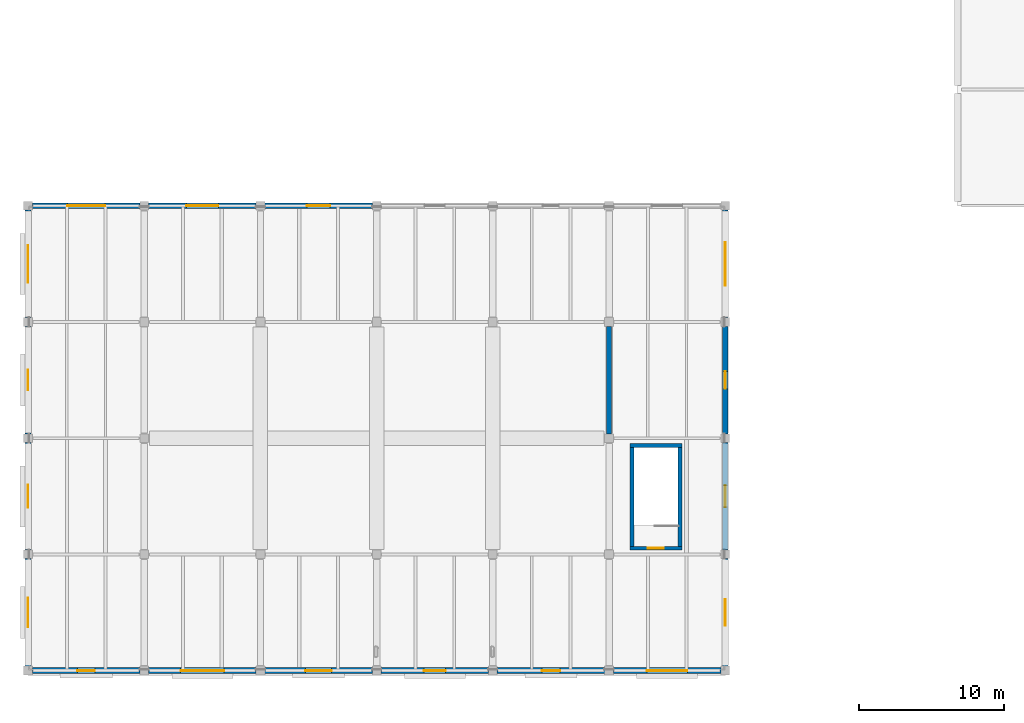
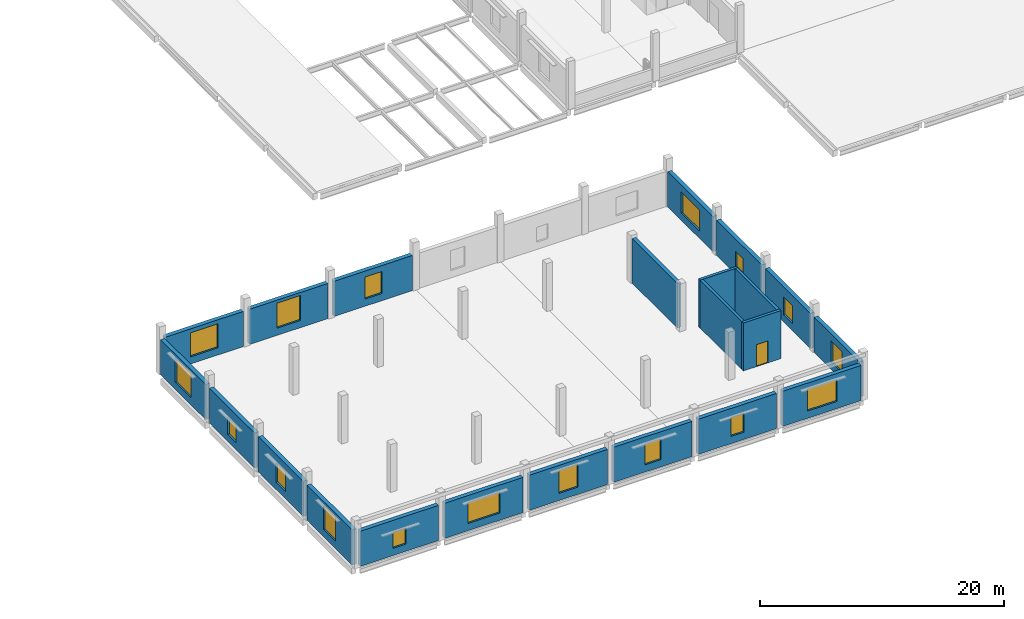
# One storey, part 28 of 52: 22 walls, 17 windows, 1 door, 18 openings.
"""IFC4 building model written with IfcOpenShell, lengths in metres."""

from ifc_helpers import new_model, si_unit, direction, frame, frame_2d, origin, place, context, subcontext, project, spatial, rectangle, extrude, material, layer, layer_set, type_object, element, fill, save


model = new_model("IFC4")

# Units and contexts
model_context = context("Model", 3, precision=1e-05, world=origin(), true_north=direction((0.0, 1.0)))
body_context = subcontext(model_context, "Body", "Model", "MODEL_VIEW")
ifc_project = project(units=[si_unit("LENGTHUNIT", "METRE"), si_unit("AREAUNIT", "SQUARE_METRE"), si_unit("VOLUMEUNIT", "CUBIC_METRE"), si_unit("PLANEANGLEUNIT", "RADIAN"), si_unit("MASSUNIT", "GRAM", prefix="KILO")], contexts=[model_context])

# Site, building, storey
site_placement = place(None, origin())
site = spatial("IfcSite", under=ifc_project, at=site_placement, CompositionType="ELEMENT")
building_placement = place(site_placement, origin())
building = spatial("IfcBuilding", under=site, at=building_placement, Name="Pecanmere Concourse Central Library", CompositionType="ELEMENT")
storey_placement = place(building_placement, frame((0.0, 0.0, 10.5)))
storey = spatial("IfcBuildingStorey", under=building, at=storey_placement, Name="L03", CompositionType="ELEMENT", Elevation=10.5)

# Wall, opening, window
ifc_material_1 = material(Name="Texas cream limestone ashlar masonry", Category="masonry")
ifc_layer_1 = layer(ifc_material_1, 0.389892578125, Name="EW_LIME_390")
ifc_layer_set_1 = layer_set([ifc_layer_1], Name="Texas cream limestone ashlar masonry")
wall_type_1 = type_object("IfcWallType", Name="EW_LIME_390", PredefinedType="STANDARD", material=ifc_layer_set_1)
wall_1_placement = place(storey_placement, frame((0.294921875, 0.0, 0.0), z_axis=(0.0, 0.0, 1.0), x_axis=(1.0, 0.0, 0.0)))
wall_1 = element("IfcWall", 1, at=wall_1_placement, inside=storey, type_object=wall_type_1, Name="Limestone Facade Wall L03-0090", PredefinedType="STANDARD", context=body_context, shape_type="SweptSolid", body=[
    extrude(rectangle(XDim=7.41015625, YDim=0.389892578125, at=frame_2d((3.705078125, 0.0))), origin(), (0.0, 0.0, 1.0), 3.52001953125),
])
opening_1_placement = place(wall_1_placement, frame((3.10498046875, 0.0, 0.719970703125)))
opening_1 = element("IfcOpeningElement", 2, at=opening_1_placement, cuts=wall_1, Name="Opening WN-13", PredefinedType="OPENING", context=body_context, shape_type="SweptSolid", body=[
    extrude(rectangle(XDim=1.199951171875, YDim=1.60009765625, at=frame_2d((0.60009765625, 0.800048828125))), frame((0.0, 0.20703125, 0.0), z_axis=(0.0, -1.0, 0.0), x_axis=(1.0, 0.0, 0.0)), (0.0, 0.0, 1.0), 0.413818359375),
])
ifc_material_2 = material(Name="Low-iron clear insulated glazing", Category="glass")
window_type_1 = type_object("IfcWindowType", Name="WIN_1200x1600", PartitioningType="SINGLE_PANEL", PredefinedType="WINDOW", material=ifc_material_2)
window_1_placement = place(opening_1_placement, origin())
window_1 = element("IfcWindow", 3, at=window_1_placement, inside=storey, type_object=window_type_1, Name="WN-075", OverallHeight=1.60009765625, OverallWidth=1.199951171875, PartitioningType="SINGLE_PANEL", PredefinedType="WINDOW", context=body_context, shape_type="SweptSolid", body=[
    extrude(rectangle(XDim=1.199951171875, YDim=1.60009765625, at=frame_2d((0.60009765625, 0.800048828125))), frame((0.0, 0.030029296875, 0.0), z_axis=(0.0, -1.0, 0.0), x_axis=(1.0, 0.0, 0.0)), (0.0, 0.0, 1.0), 0.06005859375),
])
fill(opening_1, window_1)

wall_2_placement = place(storey_placement, frame((7.705078125, 32.0, 0.0), z_axis=(0.0, 0.0, 1.0), x_axis=(-1.0, 0.0, 0.0)))
wall_2 = element("IfcWall", 4, at=wall_2_placement, inside=storey, type_object=wall_type_1, Name="Limestone Facade Wall L03-0091", PredefinedType="STANDARD", context=body_context, shape_type="SweptSolid", body=[
    extrude(rectangle(XDim=7.41015625, YDim=0.389892578125, at=frame_2d((3.705078125, 0.0))), origin(), (0.0, 0.0, 1.0), 3.52001953125),
])
opening_2_placement = place(wall_2_placement, frame((2.405029296875, 0.0, 0.719970703125)))
opening_2 = element("IfcOpeningElement", 5, at=opening_2_placement, cuts=wall_2, Name="Opening WN-15", PredefinedType="OPENING", context=body_context, shape_type="SweptSolid", body=[
    extrude(rectangle(XDim=2.60009765625, YDim=2.39990234375, at=frame_2d((1.300048828125, 1.199951171875))), frame((0.0, 0.20703125, 0.0), z_axis=(0.0, -1.0, 0.0), x_axis=(1.0, 0.0, 0.0)), (0.0, 0.0, 1.0), 0.413818359375),
])
ifc_material_3 = material(Name="Low-iron clear insulated glazing", Category="glass")
window_type_2 = type_object("IfcWindowType", Name="WIN_2600x2400", PartitioningType="SINGLE_PANEL", PredefinedType="WINDOW", material=ifc_material_3)
window_2_placement = place(opening_2_placement, origin())
window_2 = element("IfcWindow", 6, at=window_2_placement, inside=storey, type_object=window_type_2, Name="WN-076", OverallHeight=2.39990234375, OverallWidth=2.60009765625, PartitioningType="SINGLE_PANEL", PredefinedType="WINDOW", context=body_context, shape_type="SweptSolid", body=[
    extrude(rectangle(XDim=2.60009765625, YDim=2.39990234375, at=frame_2d((1.300048828125, 1.199951171875))), frame((0.0, 0.030029296875, 0.0), z_axis=(0.0, -1.0, 0.0), x_axis=(1.0, 0.0, 0.0)), (0.0, 0.0, 1.0), 0.06005859375),
])
fill(opening_2, window_2)

wall_3_placement = place(storey_placement, frame((8.294921875, 0.0, 0.0), z_axis=(0.0, 0.0, 1.0), x_axis=(1.0, 0.0, 0.0)))
wall_3 = element("IfcWall", 7, at=wall_3_placement, inside=storey, type_object=wall_type_1, Name="Limestone Facade Wall L03-0092", PredefinedType="STANDARD", context=body_context, shape_type="SweptSolid", body=[
    extrude(rectangle(XDim=7.41015625, YDim=0.389892578125, at=frame_2d((3.705078125, 0.0))), origin(), (0.0, 0.0, 1.0), 3.52001953125),
])
opening_3_placement = place(wall_3_placement, frame((2.205078125, 0.0, 0.719970703125)))
opening_3 = element("IfcOpeningElement", 8, at=opening_3_placement, cuts=wall_3, Name="Opening WN-17", PredefinedType="OPENING", context=body_context, shape_type="SweptSolid", body=[
    extrude(rectangle(XDim=3.0, YDim=2.10009765625, at=frame_2d((1.5, 1.050048828125))), frame((0.0, 0.20703125, 0.0), z_axis=(0.0, -1.0, 0.0), x_axis=(1.0, 0.0, 0.0)), (0.0, 0.0, 1.0), 0.413818359375),
])
ifc_material_4 = material(Name="Low-iron clear insulated glazing", Category="glass")
window_type_3 = type_object("IfcWindowType", Name="WIN_3000x2100", PartitioningType="SINGLE_PANEL", PredefinedType="WINDOW", material=ifc_material_4)
window_3_placement = place(opening_3_placement, origin())
window_3 = element("IfcWindow", 9, at=window_3_placement, inside=storey, type_object=window_type_3, Name="WN-077", OverallHeight=2.10009765625, OverallWidth=3.0, PartitioningType="SINGLE_PANEL", PredefinedType="WINDOW", context=body_context, shape_type="SweptSolid", body=[
    extrude(rectangle(XDim=3.0, YDim=2.10009765625, at=frame_2d((1.5, 1.050048828125))), frame((0.0, 0.030029296875, 0.0), z_axis=(0.0, -1.0, 0.0), x_axis=(1.0, 0.0, 0.0)), (0.0, 0.0, 1.0), 0.06005859375),
])
fill(opening_3, window_3)

wall_4_placement = place(storey_placement, frame((15.705078125, 32.0, 0.0), z_axis=(0.0, 0.0, 1.0), x_axis=(-1.0, 0.0, 0.0)))
wall_4 = element("IfcWall", 10, at=wall_4_placement, inside=storey, type_object=wall_type_1, Name="Limestone Facade Wall L03-0093", PredefinedType="STANDARD", context=body_context, shape_type="SweptSolid", body=[
    extrude(rectangle(XDim=7.41015625, YDim=0.389892578125, at=frame_2d((3.705078125, 0.0))), origin(), (0.0, 0.0, 1.0), 3.52001953125),
])
opening_4_placement = place(wall_4_placement, frame((2.60498046875, 0.0, 0.719970703125)))
opening_4 = element("IfcOpeningElement", 11, at=opening_4_placement, cuts=wall_4, Name="Opening WN-02", PredefinedType="OPENING", context=body_context, shape_type="SweptSolid", body=[
    extrude(rectangle(XDim=2.199951171875, YDim=2.5, at=frame_2d((1.10009765625, 1.25))), frame((0.0, 0.20703125, 0.0), z_axis=(0.0, -1.0, 0.0), x_axis=(1.0, 0.0, 0.0)), (0.0, 0.0, 1.0), 0.413818359375),
])
ifc_material_5 = material(Name="Low-iron clear insulated glazing", Category="glass")
window_type_4 = type_object("IfcWindowType", Name="WIN_2200x2500", PartitioningType="SINGLE_PANEL", PredefinedType="WINDOW", material=ifc_material_5)
window_4_placement = place(opening_4_placement, origin())
window_4 = element("IfcWindow", 12, at=window_4_placement, inside=storey, type_object=window_type_4, Name="WN-078", OverallHeight=2.5, OverallWidth=2.199951171875, PartitioningType="SINGLE_PANEL", PredefinedType="WINDOW", context=body_context, shape_type="SweptSolid", body=[
    extrude(rectangle(XDim=2.199951171875, YDim=2.5, at=frame_2d((1.10009765625, 1.25))), frame((0.0, 0.030029296875, 0.0), z_axis=(0.0, -1.0, 0.0), x_axis=(1.0, 0.0, 0.0)), (0.0, 0.0, 1.0), 0.06005859375),
])
fill(opening_4, window_4)

wall_5_placement = place(storey_placement, frame((16.294921875, 0.0, 0.0), z_axis=(0.0, 0.0, 1.0), x_axis=(1.0, 0.0, 0.0)))
wall_5 = element("IfcWall", 13, at=wall_5_placement, inside=storey, type_object=wall_type_1, Name="Limestone Facade Wall L03-0094", PredefinedType="STANDARD", context=body_context, shape_type="SweptSolid", body=[
    extrude(rectangle(XDim=7.41015625, YDim=0.389892578125, at=frame_2d((3.705078125, 0.0))), origin(), (0.0, 0.0, 1.0), 3.52001953125),
])
opening_5_placement = place(wall_5_placement, frame((2.804931640625, 0.0, 0.719970703125)))
opening_5 = element("IfcOpeningElement", 14, at=opening_5_placement, cuts=wall_5, Name="Opening WN-04", PredefinedType="OPENING", context=body_context, shape_type="SweptSolid", body=[
    extrude(rectangle(XDim=1.800048828125, YDim=2.300048828125, at=frame_2d((0.89990234375, 1.14990234375))), frame((0.0, 0.20703125, 0.0), z_axis=(0.0, -1.0, 0.0), x_axis=(1.0, 0.0, 0.0)), (0.0, 0.0, 1.0), 0.413818359375),
])
ifc_material_6 = material(Name="Low-iron clear insulated glazing", Category="glass")
window_type_5 = type_object("IfcWindowType", Name="WIN_1800x2300", PartitioningType="SINGLE_PANEL", PredefinedType="WINDOW", material=ifc_material_6)
window_5_placement = place(opening_5_placement, origin())
window_5 = element("IfcWindow", 15, at=window_5_placement, inside=storey, type_object=window_type_5, Name="WN-079", OverallHeight=2.300048828125, OverallWidth=1.800048828125, PartitioningType="SINGLE_PANEL", PredefinedType="WINDOW", context=body_context, shape_type="SweptSolid", body=[
    extrude(rectangle(XDim=1.800048828125, YDim=2.300048828125, at=frame_2d((0.89990234375, 1.14990234375))), frame((0.0, 0.030029296875, 0.0), z_axis=(0.0, -1.0, 0.0), x_axis=(1.0, 0.0, 0.0)), (0.0, 0.0, 1.0), 0.06005859375),
])
fill(opening_5, window_5)

wall_6_placement = place(storey_placement, frame((23.705078125, 32.0, 0.0), z_axis=(0.0, 0.0, 1.0), x_axis=(-1.0, 0.0, 0.0)))
wall_6 = element("IfcWall", 16, at=wall_6_placement, inside=storey, type_object=wall_type_1, Name="Limestone Facade Wall L03-0095", PredefinedType="STANDARD", context=body_context, shape_type="SweptSolid", body=[
    extrude(rectangle(XDim=7.41015625, YDim=0.389892578125, at=frame_2d((3.705078125, 0.0))), origin(), (0.0, 0.0, 1.0), 3.52001953125),
])
opening_6_placement = place(wall_6_placement, frame((2.905029296875, 0.0, 0.719970703125)))
opening_6 = element("IfcOpeningElement", 17, at=opening_6_placement, cuts=wall_6, Name="Opening WN-06", PredefinedType="OPENING", context=body_context, shape_type="SweptSolid", body=[
    extrude(rectangle(XDim=1.60009765625, YDim=2.199951171875, at=frame_2d((0.800048828125, 1.10009765625))), frame((0.0, 0.20703125, 0.0), z_axis=(0.0, -1.0, 0.0), x_axis=(1.0, 0.0, 0.0)), (0.0, 0.0, 1.0), 0.413818359375),
])
ifc_material_7 = material(Name="Low-iron clear insulated glazing", Category="glass")
window_type_6 = type_object("IfcWindowType", Name="WIN_1600x2200", PartitioningType="SINGLE_PANEL", PredefinedType="WINDOW", material=ifc_material_7)
window_6_placement = place(opening_6_placement, origin())
window_6 = element("IfcWindow", 18, at=window_6_placement, inside=storey, type_object=window_type_6, Name="WN-080", OverallHeight=2.199951171875, OverallWidth=1.60009765625, PartitioningType="SINGLE_PANEL", PredefinedType="WINDOW", context=body_context, shape_type="SweptSolid", body=[
    extrude(rectangle(XDim=1.60009765625, YDim=2.199951171875, at=frame_2d((0.800048828125, 1.10009765625))), frame((0.0, 0.030029296875, 0.0), z_axis=(0.0, -1.0, 0.0), x_axis=(1.0, 0.0, 0.0)), (0.0, 0.0, 1.0), 0.06005859375),
])
fill(opening_6, window_6)

wall_7_placement = place(storey_placement, frame((24.294921875, 0.0, 0.0), z_axis=(0.0, 0.0, 1.0), x_axis=(1.0, 0.0, 0.0)))
wall_7 = element("IfcWall", 19, at=wall_7_placement, inside=storey, type_object=wall_type_1, Name="Limestone Facade Wall L03-0096", PredefinedType="STANDARD", context=body_context, shape_type="SweptSolid", body=[
    extrude(rectangle(XDim=7.41015625, YDim=0.389892578125, at=frame_2d((3.705078125, 0.0))), origin(), (0.0, 0.0, 1.0), 3.52001953125),
])
opening_7_placement = place(wall_7_placement, frame((2.955078125, 0.0, 0.719970703125)))
opening_7 = element("IfcOpeningElement", 20, at=opening_7_placement, cuts=wall_7, Name="Opening WN-08", PredefinedType="OPENING", context=body_context, shape_type="SweptSolid", body=[
    extrude(rectangle(XDim=1.5, YDim=2.10009765625, at=frame_2d((0.75, 1.050048828125))), frame((0.0, 0.20703125, 0.0), z_axis=(0.0, -1.0, 0.0), x_axis=(1.0, 0.0, 0.0)), (0.0, 0.0, 1.0), 0.413818359375),
])
ifc_material_8 = material(Name="Low-iron clear insulated glazing", Category="glass")
window_type_7 = type_object("IfcWindowType", Name="WIN_1500x2100", PartitioningType="SINGLE_PANEL", PredefinedType="WINDOW", material=ifc_material_8)
window_7_placement = place(opening_7_placement, origin())
window_7 = element("IfcWindow", 21, at=window_7_placement, inside=storey, type_object=window_type_7, Name="WN-081", OverallHeight=2.10009765625, OverallWidth=1.5, PartitioningType="SINGLE_PANEL", PredefinedType="WINDOW", context=body_context, shape_type="SweptSolid", body=[
    extrude(rectangle(XDim=1.5, YDim=2.10009765625, at=frame_2d((0.75, 1.050048828125))), frame((0.0, 0.030029296875, 0.0), z_axis=(0.0, -1.0, 0.0), x_axis=(1.0, 0.0, 0.0)), (0.0, 0.0, 1.0), 0.06005859375),
])
fill(opening_7, window_7)

wall_8_placement = place(storey_placement, frame((32.294921875, 0.0, 0.0), z_axis=(0.0, 0.0, 1.0), x_axis=(1.0, 0.0, 0.0)))
wall_8 = element("IfcWall", 22, at=wall_8_placement, inside=storey, type_object=wall_type_1, Name="Limestone Facade Wall L03-0098", PredefinedType="STANDARD", context=body_context, shape_type="SweptSolid", body=[
    extrude(rectangle(XDim=7.41015625, YDim=0.389892578125, at=frame_2d((3.705078125, 0.0))), origin(), (0.0, 0.0, 1.0), 3.52001953125),
])
opening_8_placement = place(wall_8_placement, frame((3.080078125, 0.0, 0.719970703125)))
opening_8 = element("IfcOpeningElement", 23, at=opening_8_placement, cuts=wall_8, Name="Opening WN-12", PredefinedType="OPENING", context=body_context, shape_type="SweptSolid", body=[
    extrude(rectangle(XDim=1.25, YDim=1.89990234375, at=frame_2d((0.625, 0.949951171875))), frame((0.0, 0.20703125, 0.0), z_axis=(0.0, -1.0, 0.0), x_axis=(1.0, 0.0, 0.0)), (0.0, 0.0, 1.0), 0.413818359375),
])
ifc_material_9 = material(Name="Low-iron clear insulated glazing", Category="glass")
window_type_8 = type_object("IfcWindowType", Name="WIN_1250x1900", PartitioningType="SINGLE_PANEL", PredefinedType="WINDOW", material=ifc_material_9)
window_8_placement = place(opening_8_placement, origin())
window_8 = element("IfcWindow", 24, at=window_8_placement, inside=storey, type_object=window_type_8, Name="WN-083", OverallHeight=1.89990234375, OverallWidth=1.25, PartitioningType="SINGLE_PANEL", PredefinedType="WINDOW", context=body_context, shape_type="SweptSolid", body=[
    extrude(rectangle(XDim=1.25, YDim=1.89990234375, at=frame_2d((0.625, 0.949951171875))), frame((0.0, 0.030029296875, 0.0), z_axis=(0.0, -1.0, 0.0), x_axis=(1.0, 0.0, 0.0)), (0.0, 0.0, 1.0), 0.06005859375),
])
fill(opening_8, window_8)

wall_9_placement = place(storey_placement, frame((40.294921875, 0.0, 0.0), z_axis=(0.0, 0.0, 1.0), x_axis=(1.0, 0.0, 0.0)))
wall_9 = element("IfcWall", 25, at=wall_9_placement, inside=storey, type_object=wall_type_1, Name="Limestone Facade Wall L03-0100", PredefinedType="STANDARD", context=body_context, shape_type="SweptSolid", body=[
    extrude(rectangle(XDim=7.41015625, YDim=0.389892578125, at=frame_2d((3.705078125, 0.0))), origin(), (0.0, 0.0, 1.0), 3.52001953125),
])
opening_9_placement = place(wall_9_placement, frame((2.304931640625, 0.0, 0.719970703125)))
opening_9 = element("IfcOpeningElement", 26, at=opening_9_placement, cuts=wall_9, Name="Opening WN-16", PredefinedType="OPENING", context=body_context, shape_type="SweptSolid", body=[
    extrude(rectangle(XDim=2.800048828125, YDim=2.199951171875, at=frame_2d((1.39990234375, 1.10009765625))), frame((0.0, 0.20703125, 0.0), z_axis=(0.0, -1.0, 0.0), x_axis=(1.0, 0.0, 0.0)), (0.0, 0.0, 1.0), 0.413818359375),
])
ifc_material_10 = material(Name="Low-iron clear insulated glazing", Category="glass")
window_type_9 = type_object("IfcWindowType", Name="WIN_2800x2200", PartitioningType="SINGLE_PANEL", PredefinedType="WINDOW", material=ifc_material_10)
window_9_placement = place(opening_9_placement, origin())
window_9 = element("IfcWindow", 27, at=window_9_placement, inside=storey, type_object=window_type_9, Name="WN-085", OverallHeight=2.199951171875, OverallWidth=2.800048828125, PartitioningType="SINGLE_PANEL", PredefinedType="WINDOW", context=body_context, shape_type="SweptSolid", body=[
    extrude(rectangle(XDim=2.800048828125, YDim=2.199951171875, at=frame_2d((1.39990234375, 1.10009765625))), frame((0.0, 0.030029296875, 0.0), z_axis=(0.0, -1.0, 0.0), x_axis=(1.0, 0.0, 0.0)), (0.0, 0.0, 1.0), 0.06005859375),
])
fill(opening_9, window_9)

wall_10_placement = place(storey_placement, frame((0.0, 7.705078125, 0.0), z_axis=(0.0, 0.0, 1.0), x_axis=(0.0, -1.0, 0.0)))
wall_10 = element("IfcWall", 28, at=wall_10_placement, inside=storey, type_object=wall_type_1, Name="Limestone Facade Wall L03-0102", PredefinedType="STANDARD", context=body_context, shape_type="SweptSolid", body=[
    extrude(rectangle(XDim=7.41015625, YDim=0.389892578125, at=frame_2d((3.705078125, 0.0))), origin(), (0.0, 0.0, 1.0), 3.52001953125),
])
opening_10_placement = place(wall_10_placement, frame((2.705078125, 0.0, 0.719970703125)))
opening_10 = element("IfcOpeningElement", 29, at=opening_10_placement, cuts=wall_10, Name="Opening WN-03", PredefinedType="OPENING", context=body_context, shape_type="SweptSolid", body=[
    extrude(rectangle(XDim=2.0, YDim=2.39990234375, at=frame_2d((1.0, 1.199951171875))), frame((0.0, 0.20703125, 0.0), z_axis=(0.0, -1.0, 0.0), x_axis=(1.0, 0.0, 0.0)), (0.0, 0.0, 1.0), 0.413818359375),
])
ifc_material_11 = material(Name="Low-iron clear insulated glazing", Category="glass")
window_type_10 = type_object("IfcWindowType", Name="WIN_2000x2400", PartitioningType="SINGLE_PANEL", PredefinedType="WINDOW", material=ifc_material_11)
window_10_placement = place(opening_10_placement, origin())
window_10 = element("IfcWindow", 30, at=window_10_placement, inside=storey, type_object=window_type_10, Name="WN-087", OverallHeight=2.39990234375, OverallWidth=2.0, PartitioningType="SINGLE_PANEL", PredefinedType="WINDOW", context=body_context, shape_type="SweptSolid", body=[
    extrude(rectangle(XDim=2.0, YDim=2.39990234375, at=frame_2d((1.0, 1.199951171875))), frame((0.0, 0.030029296875, 0.0), z_axis=(0.0, -1.0, 0.0), x_axis=(1.0, 0.0, 0.0)), (0.0, 0.0, 1.0), 0.06005859375),
])
fill(opening_10, window_10)

wall_11_placement = place(storey_placement, frame((48.0, 0.294921875, 0.0), z_axis=(0.0, 0.0, 1.0), x_axis=(0.0, 1.0, 0.0)))
wall_11 = element("IfcWall", 31, at=wall_11_placement, inside=storey, type_object=wall_type_1, Name="Limestone Facade Wall L03-0103", PredefinedType="STANDARD", context=body_context, shape_type="SweptSolid", body=[
    extrude(rectangle(XDim=7.41015625, YDim=0.389892578125, at=frame_2d((3.705078125, 0.0))), origin(), (0.0, 0.0, 1.0), 3.52001953125),
])
opening_11_placement = place(wall_11_placement, frame((2.804931640625, 0.0, 0.719970703125)))
opening_11 = element("IfcOpeningElement", 32, at=opening_11_placement, cuts=wall_11, Name="Opening WN-05", PredefinedType="OPENING", context=body_context, shape_type="SweptSolid", body=[
    extrude(rectangle(XDim=1.800048828125, YDim=2.10009765625, at=frame_2d((0.89990234375, 1.050048828125))), frame((0.0, 0.20703125, 0.0), z_axis=(0.0, -1.0, 0.0), x_axis=(1.0, 0.0, 0.0)), (0.0, 0.0, 1.0), 0.413818359375),
])
ifc_material_12 = material(Name="Low-iron clear insulated glazing", Category="glass")
window_type_11 = type_object("IfcWindowType", Name="WIN_1800x2100", PartitioningType="SINGLE_PANEL", PredefinedType="WINDOW", material=ifc_material_12)
window_11_placement = place(opening_11_placement, origin())
window_11 = element("IfcWindow", 33, at=window_11_placement, inside=storey, type_object=window_type_11, Name="WN-088", OverallHeight=2.10009765625, OverallWidth=1.800048828125, PartitioningType="SINGLE_PANEL", PredefinedType="WINDOW", context=body_context, shape_type="SweptSolid", body=[
    extrude(rectangle(XDim=1.800048828125, YDim=2.10009765625, at=frame_2d((0.89990234375, 1.050048828125))), frame((0.0, 0.030029296875, 0.0), z_axis=(0.0, -1.0, 0.0), x_axis=(1.0, 0.0, 0.0)), (0.0, 0.0, 1.0), 0.06005859375),
])
fill(opening_11, window_11)

wall_12_placement = place(storey_placement, frame((0.0, 15.705078125, 0.0), z_axis=(0.0, 0.0, 1.0), x_axis=(0.0, -1.0, 0.0)))
wall_12 = element("IfcWall", 34, at=wall_12_placement, inside=storey, type_object=wall_type_1, Name="Limestone Facade Wall L03-0104", PredefinedType="STANDARD", context=body_context, shape_type="SweptSolid", body=[
    extrude(rectangle(XDim=7.41015625, YDim=0.389892578125, at=frame_2d((3.705078125, 0.0))), origin(), (0.0, 0.0, 1.0), 3.52001953125),
])
opening_12_placement = place(wall_12_placement, frame((2.905029296875, 0.0, 0.719970703125)))
opening_12 = element("IfcOpeningElement", 35, at=opening_12_placement, cuts=wall_12, Name="Opening WN-07", PredefinedType="OPENING", context=body_context, shape_type="SweptSolid", body=[
    extrude(rectangle(XDim=1.60009765625, YDim=1.949951171875, at=frame_2d((0.800048828125, 0.97509765625))), frame((0.0, 0.20703125, 0.0), z_axis=(0.0, -1.0, 0.0), x_axis=(1.0, 0.0, 0.0)), (0.0, 0.0, 1.0), 0.413818359375),
])
ifc_material_13 = material(Name="Low-iron clear insulated glazing", Category="glass")
window_type_12 = type_object("IfcWindowType", Name="WIN_1600x1950", PartitioningType="SINGLE_PANEL", PredefinedType="WINDOW", material=ifc_material_13)
window_12_placement = place(opening_12_placement, origin())
window_12 = element("IfcWindow", 36, at=window_12_placement, inside=storey, type_object=window_type_12, Name="WN-089", OverallHeight=1.949951171875, OverallWidth=1.60009765625, PartitioningType="SINGLE_PANEL", PredefinedType="WINDOW", context=body_context, shape_type="SweptSolid", body=[
    extrude(rectangle(XDim=1.60009765625, YDim=1.949951171875, at=frame_2d((0.800048828125, 0.97509765625))), frame((0.0, 0.030029296875, 0.0), z_axis=(0.0, -1.0, 0.0), x_axis=(1.0, 0.0, 0.0)), (0.0, 0.0, 1.0), 0.06005859375),
])
fill(opening_12, window_12)

wall_13_placement = place(storey_placement, frame((48.0, 8.294921875, 0.0), z_axis=(0.0, 0.0, 1.0), x_axis=(0.0, 1.0, 0.0)))
wall_13 = element("IfcWall", 37, at=wall_13_placement, inside=storey, type_object=wall_type_1, Name="Limestone Facade Wall L03-0105", PredefinedType="STANDARD", context=body_context, shape_type="SweptSolid", body=[
    extrude(rectangle(XDim=7.41015625, YDim=0.389892578125, at=frame_2d((3.705078125, 0.0))), origin(), (0.0, 0.0, 1.0), 3.52001953125),
])
opening_13_placement = place(wall_13_placement, frame((2.955078125, 0.0, 0.719970703125)))
opening_13 = element("IfcOpeningElement", 38, at=opening_13_placement, cuts=wall_13, Name="Opening WN-09", PredefinedType="OPENING", context=body_context, shape_type="SweptSolid", body=[
    extrude(rectangle(XDim=1.5, YDim=1.800048828125, at=frame_2d((0.75, 0.89990234375))), frame((0.0, 0.20703125, 0.0), z_axis=(0.0, -1.0, 0.0), x_axis=(1.0, 0.0, 0.0)), (0.0, 0.0, 1.0), 0.413818359375),
])
ifc_material_14 = material(Name="Low-iron clear insulated glazing", Category="glass")
window_type_13 = type_object("IfcWindowType", Name="WIN_1500x1800", PartitioningType="SINGLE_PANEL", PredefinedType="WINDOW", material=ifc_material_14)
window_13_placement = place(opening_13_placement, origin())
window_13 = element("IfcWindow", 39, at=window_13_placement, inside=storey, type_object=window_type_13, Name="WN-090", OverallHeight=1.800048828125, OverallWidth=1.5, PartitioningType="SINGLE_PANEL", PredefinedType="WINDOW", context=body_context, shape_type="SweptSolid", body=[
    extrude(rectangle(XDim=1.5, YDim=1.800048828125, at=frame_2d((0.75, 0.89990234375))), frame((0.0, 0.030029296875, 0.0), z_axis=(0.0, -1.0, 0.0), x_axis=(1.0, 0.0, 0.0)), (0.0, 0.0, 1.0), 0.06005859375),
])
fill(opening_13, window_13)

wall_14_placement = place(storey_placement, frame((0.0, 23.705078125, 0.0), z_axis=(0.0, 0.0, 1.0), x_axis=(0.0, -1.0, 0.0)))
wall_14 = element("IfcWall", 40, at=wall_14_placement, inside=storey, type_object=wall_type_1, Name="Limestone Facade Wall L03-0106", PredefinedType="STANDARD", context=body_context, shape_type="SweptSolid", body=[
    extrude(rectangle(XDim=7.41015625, YDim=0.389892578125, at=frame_2d((3.705078125, 0.0))), origin(), (0.0, 0.0, 1.0), 3.52001953125),
])
opening_14_placement = place(wall_14_placement, frame((3.0048828125, 0.0, 0.719970703125)))
opening_14 = element("IfcOpeningElement", 41, at=opening_14_placement, cuts=wall_14, Name="Opening WN-11", PredefinedType="OPENING", context=body_context, shape_type="SweptSolid", body=[
    extrude(rectangle(XDim=1.39990234375, YDim=1.699951171875, at=frame_2d((0.699951171875, 0.85009765625))), frame((0.0, 0.20703125, 0.0), z_axis=(0.0, -1.0, 0.0), x_axis=(1.0, 0.0, 0.0)), (0.0, 0.0, 1.0), 0.413818359375),
])
ifc_material_15 = material(Name="Low-iron clear insulated glazing", Category="glass")
window_type_14 = type_object("IfcWindowType", Name="WIN_1400x1700", PartitioningType="SINGLE_PANEL", PredefinedType="WINDOW", material=ifc_material_15)
window_14_placement = place(opening_14_placement, origin())
window_14 = element("IfcWindow", 42, at=window_14_placement, inside=storey, type_object=window_type_14, Name="WN-091", OverallHeight=1.699951171875, OverallWidth=1.39990234375, PartitioningType="SINGLE_PANEL", PredefinedType="WINDOW", context=body_context, shape_type="SweptSolid", body=[
    extrude(rectangle(XDim=1.39990234375, YDim=1.699951171875, at=frame_2d((0.699951171875, 0.85009765625))), frame((0.0, 0.030029296875, 0.0), z_axis=(0.0, -1.0, 0.0), x_axis=(1.0, 0.0, 0.0)), (0.0, 0.0, 1.0), 0.06005859375),
])
fill(opening_14, window_14)

wall_15_placement = place(storey_placement, frame((48.0, 16.294921875, 0.0), z_axis=(0.0, 0.0, 1.0), x_axis=(0.0, 1.0, 0.0)))
wall_15 = element("IfcWall", 43, at=wall_15_placement, inside=storey, type_object=wall_type_1, Name="Limestone Facade Wall L03-0107", PredefinedType="STANDARD", context=body_context, shape_type="SweptSolid", body=[
    extrude(rectangle(XDim=7.41015625, YDim=0.389892578125, at=frame_2d((3.705078125, 0.0))), origin(), (0.0, 0.0, 1.0), 3.52001953125),
])
opening_15_placement = place(wall_15_placement, frame((3.10498046875, 0.0, 0.719970703125)))
opening_15 = element("IfcOpeningElement", 44, at=opening_15_placement, cuts=wall_15, Name="Opening WN-13", PredefinedType="OPENING", context=body_context, shape_type="SweptSolid", body=[
    extrude(rectangle(XDim=1.199951171875, YDim=1.60009765625, at=frame_2d((0.60009765625, 0.800048828125))), frame((0.0, 0.20703125, 0.0), z_axis=(0.0, -1.0, 0.0), x_axis=(1.0, 0.0, 0.0)), (0.0, 0.0, 1.0), 0.413818359375),
])
window_15_placement = place(opening_15_placement, origin())
window_15 = element("IfcWindow", 45, at=window_15_placement, inside=storey, type_object=window_type_1, Name="WN-092", OverallHeight=1.60009765625, OverallWidth=1.199951171875, PartitioningType="SINGLE_PANEL", PredefinedType="WINDOW", context=body_context, shape_type="SweptSolid", body=[
    extrude(rectangle(XDim=1.199951171875, YDim=1.60009765625, at=frame_2d((0.60009765625, 0.800048828125))), frame((0.0, 0.030029296875, 0.0), z_axis=(0.0, -1.0, 0.0), x_axis=(1.0, 0.0, 0.0)), (0.0, 0.0, 1.0), 0.06005859375),
])
fill(opening_15, window_15)

wall_16_placement = place(storey_placement, frame((0.0, 31.705078125, 0.0), z_axis=(0.0, 0.0, 1.0), x_axis=(0.0, -1.0, 0.0)))
wall_16 = element("IfcWall", 46, at=wall_16_placement, inside=storey, type_object=wall_type_1, Name="Limestone Facade Wall L03-0108", PredefinedType="STANDARD", context=body_context, shape_type="SweptSolid", body=[
    extrude(rectangle(XDim=7.41015625, YDim=0.389892578125, at=frame_2d((3.705078125, 0.0))), origin(), (0.0, 0.0, 1.0), 3.52001953125),
])
opening_16_placement = place(wall_16_placement, frame((2.405029296875, 0.0, 0.719970703125)))
opening_16 = element("IfcOpeningElement", 47, at=opening_16_placement, cuts=wall_16, Name="Opening WN-15", PredefinedType="OPENING", context=body_context, shape_type="SweptSolid", body=[
    extrude(rectangle(XDim=2.60009765625, YDim=2.39990234375, at=frame_2d((1.300048828125, 1.199951171875))), frame((0.0, 0.20703125, 0.0), z_axis=(0.0, -1.0, 0.0), x_axis=(1.0, 0.0, 0.0)), (0.0, 0.0, 1.0), 0.413818359375),
])
window_16_placement = place(opening_16_placement, origin())
window_16 = element("IfcWindow", 48, at=window_16_placement, inside=storey, type_object=window_type_2, Name="WN-093", OverallHeight=2.39990234375, OverallWidth=2.60009765625, PartitioningType="SINGLE_PANEL", PredefinedType="WINDOW", context=body_context, shape_type="SweptSolid", body=[
    extrude(rectangle(XDim=2.60009765625, YDim=2.39990234375, at=frame_2d((1.300048828125, 1.199951171875))), frame((0.0, 0.030029296875, 0.0), z_axis=(0.0, -1.0, 0.0), x_axis=(1.0, 0.0, 0.0)), (0.0, 0.0, 1.0), 0.06005859375),
])
fill(opening_16, window_16)

wall_17_placement = place(storey_placement, frame((48.0, 24.294921875, 0.0), z_axis=(0.0, 0.0, 1.0), x_axis=(0.0, 1.0, 0.0)))
wall_17 = element("IfcWall", 49, at=wall_17_placement, inside=storey, type_object=wall_type_1, Name="Limestone Facade Wall L03-0109", PredefinedType="STANDARD", context=body_context, shape_type="SweptSolid", body=[
    extrude(rectangle(XDim=7.41015625, YDim=0.389892578125, at=frame_2d((3.705078125, 0.0))), origin(), (0.0, 0.0, 1.0), 3.52001953125),
])
opening_17_placement = place(wall_17_placement, frame((2.205078125, 0.0, 0.719970703125)))
opening_17 = element("IfcOpeningElement", 50, at=opening_17_placement, cuts=wall_17, Name="Opening WN-17", PredefinedType="OPENING", context=body_context, shape_type="SweptSolid", body=[
    extrude(rectangle(XDim=3.0, YDim=2.10009765625, at=frame_2d((1.5, 1.050048828125))), frame((0.0, 0.20703125, 0.0), z_axis=(0.0, -1.0, 0.0), x_axis=(1.0, 0.0, 0.0)), (0.0, 0.0, 1.0), 0.413818359375),
])
window_17_placement = place(opening_17_placement, origin())
window_17 = element("IfcWindow", 51, at=window_17_placement, inside=storey, type_object=window_type_3, Name="WN-094", OverallHeight=2.10009765625, OverallWidth=3.0, PartitioningType="SINGLE_PANEL", PredefinedType="WINDOW", context=body_context, shape_type="SweptSolid", body=[
    extrude(rectangle(XDim=3.0, YDim=2.10009765625, at=frame_2d((1.5, 1.050048828125))), frame((0.0, 0.030029296875, 0.0), z_axis=(0.0, -1.0, 0.0), x_axis=(1.0, 0.0, 0.0)), (0.0, 0.0, 1.0), 0.06005859375),
])
fill(opening_17, window_17)

# Wall
ifc_material_16 = material(Name="Concrete C40/50", Category="concrete")
ifc_layer_2 = layer(ifc_material_16, 0.35009765625, Name="WALL_SHR_350")
ifc_layer_set_2 = layer_set([ifc_layer_2], Name="Concrete C40/50")
wall_type_2 = type_object("IfcWallType", Name="WALL_SHR_350", PredefinedType="SHEAR", material=ifc_layer_set_2)
wall_18_placement = place(storey_placement, frame((40.0, 16.300048828125, 0.0), z_axis=(0.0, 0.0, 1.0), x_axis=(0.0, 1.0, 0.0)))
element("IfcWall", 52, at=wall_18_placement, inside=storey, type_object=wall_type_2, Name="Lateral Shear Wall L03-034", PredefinedType="SHEAR", context=body_context, shape_type="SweptSolid", body=[
    extrude(rectangle(XDim=7.39990234375, YDim=0.35009765625, at=frame_2d((3.699951171875, 0.0))), origin(), (0.0, 0.0, 1.0), 4.47998046875),
])

# Wall, opening, door
ifc_material_17 = material(Name="Concrete C40/50", Category="concrete")
ifc_layer_3 = layer(ifc_material_17, 0.260009765625, Name="WALL_SLD_260")
ifc_layer_set_3 = layer_set([ifc_layer_3], Name="Concrete C40/50")
wall_type_3 = type_object("IfcWallType", Name="WALL_SLD_260", PredefinedType="SOLIDWALL", material=ifc_layer_set_3)
wall_19_placement = place(storey_placement, frame((41.43994140625, 8.419921875, 0.0), z_axis=(0.0, 0.0, 1.0), x_axis=(1.0, 0.0, 0.0)))
wall_19 = element("IfcWall", 53, at=wall_19_placement, inside=storey, type_object=wall_type_3, Name="Core C7 South Wall L03", PredefinedType="SOLIDWALL", context=body_context, shape_type="SweptSolid", body=[
    extrude(rectangle(XDim=3.580078125, YDim=0.260009765625, at=frame_2d((1.7900390625, 0.0))), origin(), (0.0, 0.0, 1.0), 4.800048828125),
])
opening_18_placement = place(wall_19_placement, frame((1.239990234375, 0.0, 0.0)))
opening_18 = element("IfcOpeningElement", 54, at=opening_18_placement, cuts=wall_19, Name="Opening FD-01", PredefinedType="OPENING", context=body_context, shape_type="SweptSolid", body=[
    extrude(rectangle(XDim=1.10009765625, YDim=2.199951171875, at=frame_2d((0.550048828125, 1.10009765625))), frame((0.0, 0.14208984375, 0.0), z_axis=(0.0, -1.0, 0.0), x_axis=(1.0, 0.0, 0.0)), (0.0, 0.0, 1.0), 0.283935546875),
])
ifc_material_18 = material(Name="Painted architectural steel ASTM A36", Category="steel")
door_type = type_object("IfcDoorType", Name="FD-01", OperationType="SINGLE_SWING_LEFT", PredefinedType="DOOR", material=ifc_material_18)
door_placement = place(opening_18_placement, origin())
door = element("IfcDoor", 55, at=door_placement, inside=storey, type_object=door_type, Name="D-048", OperationType="SINGLE_SWING_LEFT", OverallHeight=2.199951171875, OverallWidth=1.10009765625, PredefinedType="DOOR", context=body_context, shape_type="SweptSolid", body=[
    extrude(rectangle(XDim=1.10009765625, YDim=2.199951171875, at=frame_2d((0.550048828125, 1.10009765625))), frame((0.0, 0.02490234375, 0.0), z_axis=(0.0, -1.0, 0.0), x_axis=(1.0, 0.0, 0.0)), (0.0, 0.0, 1.0), 0.050048828125),
])
fill(opening_18, door)

# Walls
wall_20_placement = place(storey_placement, frame((41.43994140625, 15.5, 0.0), z_axis=(0.0, 0.0, 1.0), x_axis=(1.0, 0.0, 0.0)))
element("IfcWall", 56, at=wall_20_placement, inside=storey, type_object=wall_type_3, Name="Core C7 North Wall L03", PredefinedType="SOLIDWALL", context=body_context, shape_type="SweptSolid", body=[
    extrude(rectangle(XDim=3.580078125, YDim=0.260009765625, at=frame_2d((1.7900390625, 0.0))), origin(), (0.0, 0.0, 1.0), 4.800048828125),
])
for number, where, z_axis, x_axis, name in (
    (57, (41.570068359375, 8.550048828125, 0.0), (0.0, 0.0, 1.0), (0.0, 1.0, 0.0), "Core C7 W Wall L03"),
    (58, (44.889892578125, 8.550048828125, 0.0), (0.0, 0.0, 1.0), (0.0, 1.0, 0.0), "Core C7 E Wall L03"),
):
    element("IfcWall", number, at=place(storey_placement, frame(where, z_axis=z_axis, x_axis=x_axis)), inside=storey, type_object=wall_type_3, Name=name, PredefinedType="SOLIDWALL", context=body_context, shape_type="SweptSolid", body=[
        extrude(rectangle(XDim=6.820068359375, YDim=0.260009765625, at=frame_2d((3.41015625, 0.0))), origin(), (0.0, 0.0, 1.0), 4.800048828125),
    ])

save(model, "model.ifc")
